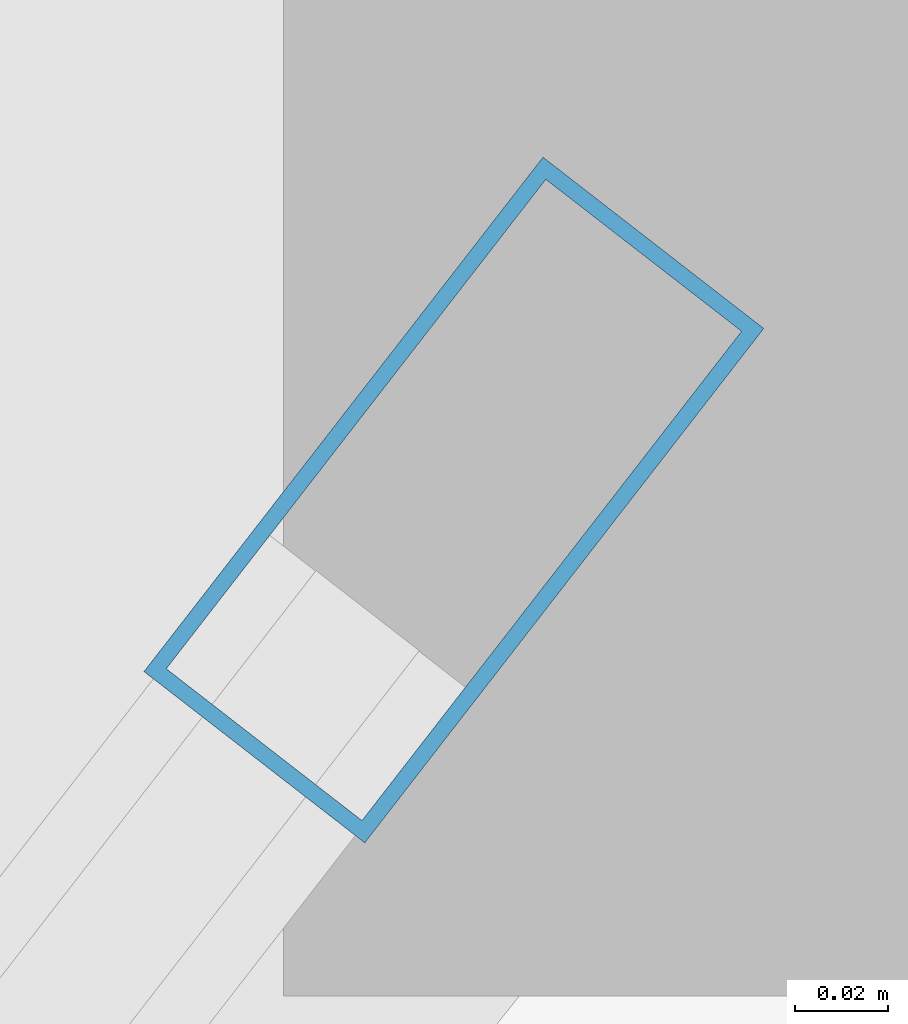
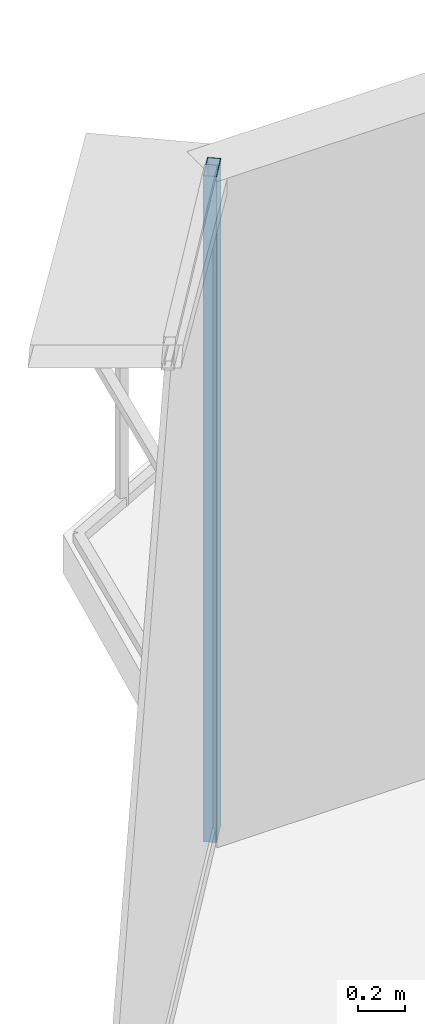
# One storey, part 22 of 33: 1 member, 1 element without a shape of its own.
"""IFC4 building model written with IfcOpenShell, lengths in metres."""

from ifc_helpers import new_model, si_unit, direction, frame, origin, origin_2d, place, context, subcontext, project, spatial, hollow_rectangle, extrude, source, transform, mapped, material, layer, layer_set, material_profile, profile_set, type_object, element, aggregate, save


model = new_model("IFC4")

# Units and contexts
model_context = context("Model", 3, precision=1e-05, world=origin(), true_north=direction((0.0, 1.0)))
body_context = subcontext(model_context, "Body", "Model", "MODEL_VIEW")
ifc_project = project(units=[si_unit("LENGTHUNIT", "METRE"), si_unit("AREAUNIT", "SQUARE_METRE"), si_unit("VOLUMEUNIT", "CUBIC_METRE"), si_unit("PLANEANGLEUNIT", "RADIAN"), si_unit("MASSUNIT", "GRAM", prefix="KILO"), si_unit("THERMODYNAMICTEMPERATUREUNIT", "KELVIN"), si_unit("POWERUNIT", "WATT")], contexts=[model_context])

# Site, building, storey
site_placement = place(None, origin())
site = spatial("IfcSite", under=ifc_project, at=site_placement, CompositionType="ELEMENT")
building_placement = place(site_placement, origin())
building = spatial("IfcBuilding", under=site, at=building_placement, Name="Yunzhuo Pagoda Commons", CompositionType="ELEMENT")
storey_placement = place(building_placement, frame((0.0, 0.0, 325.510009765625)))
storey = spatial("IfcBuildingStorey", under=building, at=storey_placement, Name="L81", CompositionType="ELEMENT", Elevation=325.510009765625)

# Curtain wall, member
ifc_material = material(Name="Anodized aluminium 6063-T6", Category="aluminium")
ifc_layer = layer(ifc_material, 0.139892578125)
ifc_layer_set = layer_set([ifc_layer], Name="Anodized aluminium 6063-T6")
curtain_wall_type = type_object("IfcCurtainWallType", Name="CW-HI High-Zone Ribbon Curtain Wall", PredefinedType="NOTDEFINED", material=ifc_layer_set)
curtain_wall_placement = place(storey_placement, origin())
curtain_wall = element("IfcCurtainWall", 1, at=curtain_wall_placement, inside=storey, type_object=curtain_wall_type, Name="L81 curtain wall CW-L81-F3B1", PredefinedType="NOTDEFINED")
ifc_material_profile = material_profile(ifc_material, hollow_rectangle(XDim=0.06005859375, YDim=0.139892578125, WallThickness=0.00341796875, at=origin_2d()), Name="Anodized aluminium 6063-T6")
ifc_profile_set = profile_set([ifc_material_profile], Name="Anodized aluminium 6063-T6")
member_type = type_object("IfcMemberType", Name="CW-HI-M Mullion RHS 140x60x3.5", PredefinedType="MULLION", material=ifc_profile_set)
shared_shape = source(origin(), body_context, "Body", "SweptSolid", [
    extrude(hollow_rectangle(XDim=0.06005859375, YDim=0.139892578125, WallThickness=0.00341796875, at=origin_2d()), origin(), (0.0, 0.0, 1.0), 3.489990234375),
])
member_placement = place(storey_placement, frame((44.793212890625, 72.759765625, 0.0), z_axis=(0.0, 0.0, 1.0), x_axis=(0.790146906982, -0.612917502921, 0.0)))
member = element("IfcMember", 2, at=member_placement, type_object=member_type, Name="CW mullion 1", PredefinedType="MULLION", context=body_context, shape_type="MappedRepresentation", body=[
    mapped(shared_shape, transform((0.0, 0.0, 0.0), scale=1.0)),
])
aggregate(curtain_wall, [member])

save(model, "model.ifc")
